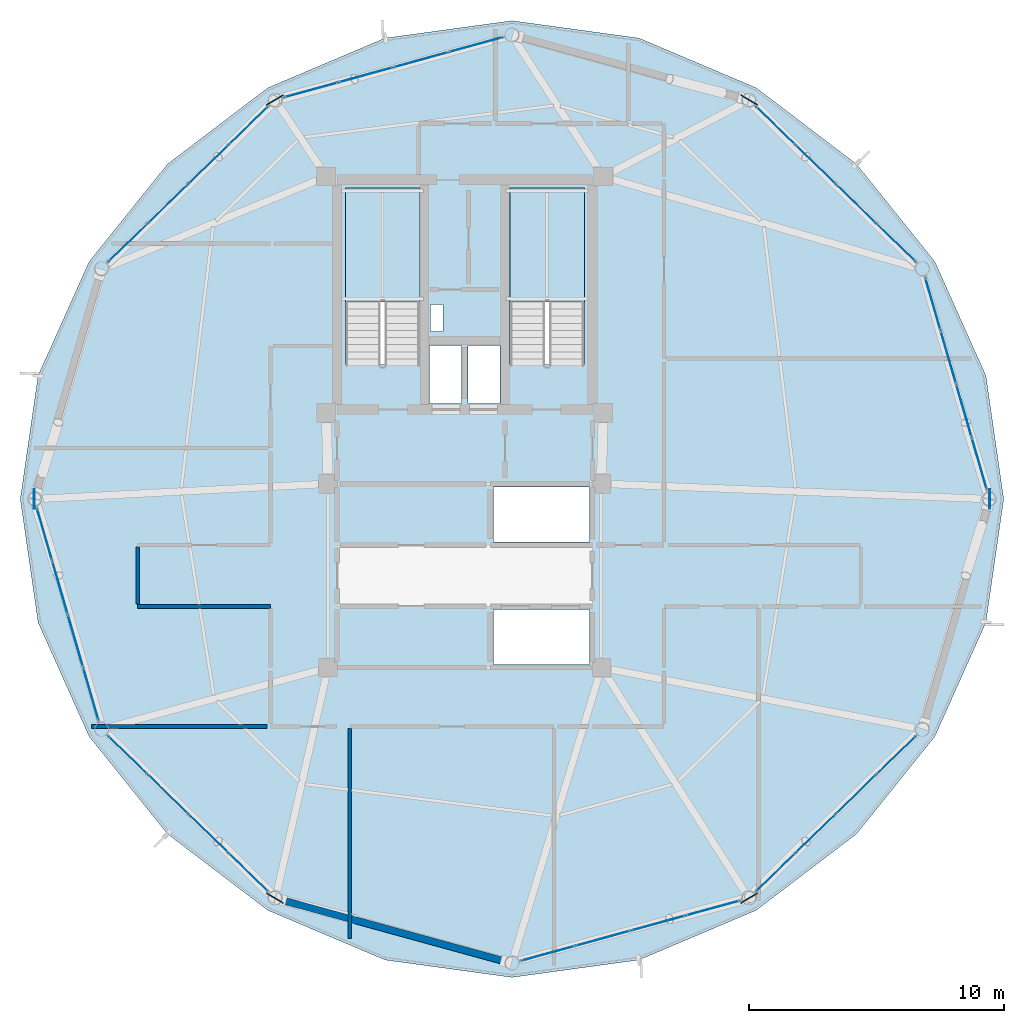
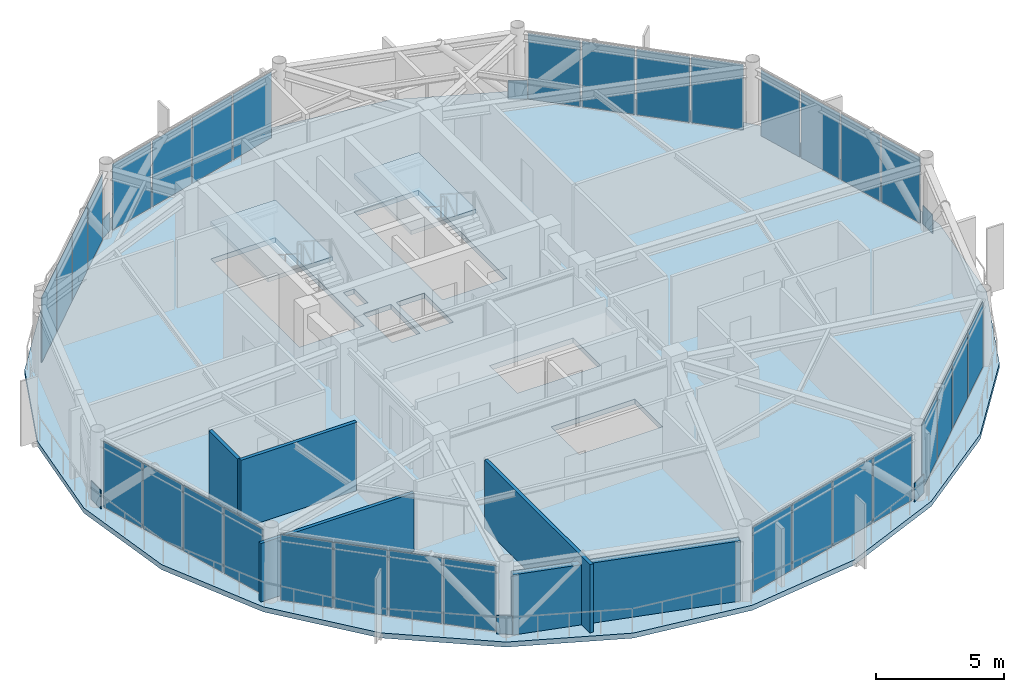
# One storey, part 22 of 28: 38 plates, 5 walls, 3 slabs, 10 elements without a shape of their own.
"""IFC4 building model written with IfcOpenShell, lengths in metres."""

from ifc_helpers import new_model, si_unit, direction, frame, frame_2d, origin, origin_2d, place, context, subcontext, project, spatial, polyline, rectangle, outline, extrude, source, transform, mapped, material, layer, layer_set, type_object, type_shapes, element, aggregate, save


model = new_model("IFC4")

# Units and contexts
model_context = context("Model", 3, precision=1e-05, world=origin(), true_north=direction((0.0, 1.0)))
body_context = subcontext(model_context, "Body", "Model", "MODEL_VIEW")
ifc_project = project(units=[si_unit("LENGTHUNIT", "METRE"), si_unit("AREAUNIT", "SQUARE_METRE"), si_unit("VOLUMEUNIT", "CUBIC_METRE"), si_unit("PLANEANGLEUNIT", "RADIAN"), si_unit("MASSUNIT", "GRAM", prefix="KILO")], contexts=[model_context])

# Site, building, storey
site_placement = place(None, origin())
site = spatial("IfcSite", under=ifc_project, at=site_placement, CompositionType="ELEMENT")
building_placement = place(site_placement, origin())
building = spatial("IfcBuilding", under=site, at=building_placement, Name="Varnakorn Sky Granary", CompositionType="ELEMENT")
storey_placement = place(building_placement, frame((0.0, 0.0, 236.39990234375)))
storey = spatial("IfcBuildingStorey", under=building, at=storey_placement, Name="L60", CompositionType="ELEMENT", Elevation=236.39990234375)

# Plates
ifc_material_1 = material(Name="Steel S460M", Category="steel")
ifc_layer_1 = layer(ifc_material_1, 0.035888671875, Name="Steel S460M")
ifc_layer_set_1 = layer_set([ifc_layer_1], Name="Steel S460M")
plate_type_1 = type_object("IfcPlateType", Name="PL-NODE-KN4", PredefinedType="SHEET", material=ifc_layer_set_1)
for number, where, z_axis, x_axis, name in (
    (1, (23.548095703125, 0.0, 0.000244140625), (0.0, 0.0, 1.0), (0.0, 1.0, 0.0), "Diagrid Node Gusset Assembly KN4 L60-1"),
    (2, (14.131591796875, 15.622314453125, 0.000244140625), (0.0, 0.0, 1.0), (-0.859714140362, 0.510775485768, 0.0), "Diagrid Node Gusset Assembly KN4 L60-3"),
    (3, (-4.431396484375, 15.622314453125, 0.000244140625), (0.0, 0.0, 1.0), (-0.859714140362, -0.510775485768, 0.0), "Diagrid Node Gusset Assembly KN4 L60-5"),
    (4, (-13.847900390625, 0.0, 0.000244140625), (0.0, 0.0, 1.0), (0.0, -1.0, 0.0), "Diagrid Node Gusset Assembly KN4 L60-7"),
    (5, (-4.431396484375, -15.622314453125, 0.000244140625), (0.0, 0.0, 1.0), (0.859714140362, -0.510775485768, 0.0), "Diagrid Node Gusset Assembly KN4 L60-9"),
    (6, (14.131591796875, -15.622314453125, 0.000244140625), (0.0, 0.0, 1.0), (0.859714140362, 0.510775485768, 0.0), "Diagrid Node Gusset Assembly KN4 L60-11"),
):
    element("IfcPlate", number, at=place(storey_placement, frame(where, z_axis=z_axis, x_axis=x_axis)), inside=storey, type_object=plate_type_1, Name=name, PredefinedType="SHEET", context=body_context, shape_type="SweptSolid", body=[
        extrude(rectangle(XDim=0.760009765625, YDim=0.035888671875, at=origin_2d()), origin(), (0.0, 0.0, 1.0), 0.8798828125),
    ])

# Stair, slab
ifc_material_2 = material(Name="Concrete C40/50", Category="concrete")
stair_type = type_object("IfcStairType", Name="ST-MAIN-ASSEMBLY", PredefinedType="HALF_TURN_STAIR", material=ifc_material_2)
stair_1_placement = place(storey_placement, origin())
stair_1 = element("IfcStair", 7, at=stair_1_placement, inside=storey, type_object=stair_type, Name="L60 Protected Exit Stair ST-1", PredefinedType="HALF_TURN_STAIR")
ifc_layer_2 = layer(ifc_material_2, 0.199951171875, Name="Concrete C40/50")
ifc_layer_set_2 = layer_set([ifc_layer_2], Name="Concrete C40/50")
slab_type_1 = type_object("IfcSlabType", Name="ST-MAIN-LAND", PredefinedType="LANDING", material=ifc_layer_set_2)
slab_1_placement = place(storey_placement, frame((0.0, 0.0, 1.60009765625)))
slab_1 = element("IfcSlab", 8, at=slab_1_placement, type_object=slab_type_1, Name="ST-1 landing 1", PredefinedType="LANDING", context=body_context, shape_type="SweptSolid", body=[
    extrude(outline(polyline([(1.239990234375, 7.719970703125), (1.239990234375, 12.179931640625), (-1.669921875, 12.179931640625), (-1.669921875, 7.719970703125), (1.239990234375, 7.719970703125)])), origin(), (0.0, 0.0, 1.0), 0.199951171875),
])
aggregate(stair_1, [slab_1])

stair_2_placement = place(storey_placement, origin())
stair_2 = element("IfcStair", 9, at=stair_2_placement, inside=storey, type_object=stair_type, Name="L60 Protected Exit Stair ST-2", PredefinedType="HALF_TURN_STAIR")
slab_2_placement = place(storey_placement, frame((0.0, 0.0, 1.60009765625)))
slab_2 = element("IfcSlab", 10, at=slab_2_placement, type_object=slab_type_1, Name="ST-2 landing 1", PredefinedType="LANDING", context=body_context, shape_type="SweptSolid", body=[
    extrude(outline(polyline([(7.679931640625, 7.719970703125), (7.679931640625, 12.179931640625), (4.77001953125, 12.179931640625), (4.77001953125, 7.719970703125), (7.679931640625, 7.719970703125)])), origin(), (0.0, 0.0, 1.0), 0.199951171875),
])
aggregate(stair_2, [slab_2])

# Slab
ifc_material_3 = material(Name="Concrete C50/60", Category="concrete")
ifc_layer_3 = layer(ifc_material_3, 0.239990234375, Name="Concrete C50/60")
ifc_layer_set_3 = layer_set([ifc_layer_3], Name="Concrete C50/60")
slab_type_2 = type_object("IfcSlabType", Name="ST-SL-TWR-240", PredefinedType="FLOOR", material=ifc_layer_set_3)
slab_3_placement = place(storey_placement, frame((0.0, 0.0, -0.239990234375)))
element("IfcSlab", 11, at=slab_3_placement, inside=storey, type_object=slab_type_2, Name="Level L60 Structural Floor Slab", PredefinedType="FLOOR", context=body_context, shape_type="SweptSolid", body=[
    extrude(outline(polyline([(24.097900390625, 0.0), (23.398681640625, 4.83447265625), (21.40234375, 9.29443359375), (18.3330078125, 13.112548828125), (14.406494140625, 16.098388671875), (9.820068359375, 18.04248046875), (4.85009765625, 18.72412109375), (-0.1201171875, 18.04248046875), (-4.70654296875, 16.098388671875), (-8.633056640625, 13.112548828125), (-11.702392578125, 9.29443359375), (-13.69873046875, 4.83447265625), (-14.39794921875, 0.0), (-13.69873046875, -4.83447265625), (-11.702392578125, -9.29443359375), (-8.633056640625, -13.112548828125), (-4.70654296875, -16.098388671875), (-0.1201171875, -18.04248046875), (4.85009765625, -18.72412109375), (9.820068359375, -18.04248046875), (14.406494140625, -16.098388671875), (18.3330078125, -13.112548828125), (21.40234375, -9.29443359375), (23.398681640625, -4.83447265625), (24.097900390625, 0.0)]), holes=[polyline([(1.239990234375, 5.27490234375), (1.239990234375, 12.179931640625), (-1.669921875, 12.179931640625), (-1.669921875, 5.27490234375), (1.239990234375, 5.27490234375)]), polyline([(7.679931640625, 5.27490234375), (7.679931640625, 12.179931640625), (4.77001953125, 12.179931640625), (4.77001953125, 5.27490234375), (7.679931640625, 5.27490234375)]), polyline([(1.659912109375, 6.550048828125), (2.14990234375, 6.550048828125), (2.14990234375, 7.6201171875), (1.659912109375, 7.6201171875), (1.659912109375, 6.550048828125)]), polyline([(1.6201171875, 3.739990234375), (2.8798828125, 3.739990234375), (2.8798828125, 6.010009765625), (1.6201171875, 6.010009765625), (1.6201171875, 3.739990234375)]), polyline([(3.1201171875, 3.739990234375), (4.3798828125, 3.739990234375), (4.3798828125, 6.010009765625), (3.1201171875, 6.010009765625), (3.1201171875, 3.739990234375)]), polyline([(4.1201171875, -1.679931640625), (7.8798828125, -1.679931640625), (7.8798828125, 0.47998046875), (4.1201171875, 0.47998046875), (4.1201171875, -1.679931640625)]), polyline([(4.1201171875, -6.47998046875), (7.8798828125, -6.47998046875), (7.8798828125, -4.320068359375), (4.1201171875, -4.320068359375), (4.1201171875, -6.47998046875)])]), origin(), (0.0, 0.0, 1.0), 0.239990234375),
])

# Curtain wall, plates
ifc_material_4 = material(Name="Anodised Bronze Aluminium Alloy 6063-T6", Category="aluminium")
ifc_layer_4 = layer(ifc_material_4, 0.159912109375, Name="Anodised Bronze Aluminium Alloy 6063-T6")
ifc_layer_set_4 = layer_set([ifc_layer_4], Name="Anodised Bronze Aluminium Alloy 6063-T6")
curtain_wall_type = type_object("IfcCurtainWallType", Name="CW-OFF-1", PredefinedType="USERDEFINED", material=ifc_layer_set_4)
curtain_wall_1_placement = place(storey_placement, origin())
curtain_wall_1 = element("IfcCurtainWall", 12, at=curtain_wall_1_placement, inside=storey, type_object=curtain_wall_type, Name="Unitised Curtain Wall CW6 CW-L60-B01", ObjectType="CURTAIN WALL", PredefinedType="USERDEFINED")
ifc_material_5 = material(Name="Low-E Tinted Laminated Glass", Category="glass")
ifc_layer_5 = layer(ifc_material_5, 0.02392578125, Name="Low-E Tinted Laminated Glass")
ifc_layer_set_5 = layer_set([ifc_layer_5], Name="Low-E Tinted Laminated Glass")
plate_type_2 = type_object("IfcPlateType", Name="CW-OFF-1-PNL", PredefinedType="CURTAIN_PANEL")
shared_shape_1 = source(origin(), body_context, "Body", "SweptSolid", [
    extrude(rectangle(XDim=2.0810546875, YDim=0.02392578125, at=origin_2d()), origin(), (0.0, 0.0, 1.0), 3.1201171875),
])
plate_1_placement = place(storey_placement, frame((21.329345703125, 7.632080078125, 0.06494140625), z_axis=(0.0, 0.0, 1.0), x_axis=(0.279141009475, -0.960250122015, 0.0)))
plate_1 = element("IfcPlate", 13, at=plate_1_placement, type_object=plate_type_2, material=ifc_layer_set_5, Name="CW6 vision glazing unit 1.1", PredefinedType="CURTAIN_PANEL", context=body_context, shape_type="MappedRepresentation", body=[
    mapped(shared_shape_1, transform((0.0, 0.0, 0.0), x_axis=(1.0, 0.0, 0.0), y_axis=(0.0, 1.0, 0.0), z_axis=(0.0, 0.0, 1.0), scale=1.0)),
])
ifc_material_6 = material(Name="Opaque Insulated Aluminium Shadow-Box Unit", Category="aluminium")
ifc_layer_6 = layer(ifc_material_6, 0.02392578125, Name="Opaque Insulated Aluminium Shadow-Box Unit")
ifc_layer_set_6 = layer_set([ifc_layer_6], Name="Opaque Insulated Aluminium Shadow-Box Unit")
plate_2_placement = place(storey_placement, frame((23.14453125, 1.387451171875, 0.06494140625), z_axis=(0.0, 0.0, 1.0), x_axis=(0.279141009475, -0.960250122015, 0.0)))
plate_2 = element("IfcPlate", 14, at=plate_2_placement, type_object=plate_type_2, material=ifc_layer_set_6, Name="CW6 opaque insulated shadow-box unit 4.1", PredefinedType="CURTAIN_PANEL", context=body_context, shape_type="MappedRepresentation", body=[
    mapped(shared_shape_1, transform((0.0, 0.0, 0.0), x_axis=(1.0, 0.0, 0.0), y_axis=(0.0, 1.0, 0.0), z_axis=(0.0, 0.0, 1.0), scale=1.0)),
])

curtain_wall_2_placement = place(storey_placement, origin())
curtain_wall_2 = element("IfcCurtainWall", 15, at=curtain_wall_2_placement, inside=storey, type_object=curtain_wall_type, Name="Unitised Curtain Wall CW6 CW-L60-B07", ObjectType="CURTAIN WALL", PredefinedType="USERDEFINED")
plate_3_placement = place(storey_placement, frame((-11.62939453125, -7.632080078125, 0.06494140625), z_axis=(0.0, 0.0, 1.0), x_axis=(-0.279141009475, 0.960250122015, 0.0)))
plate_3 = element("IfcPlate", 16, at=plate_3_placement, type_object=plate_type_2, material=ifc_layer_set_5, Name="CW6 vision glazing unit 1.1", PredefinedType="CURTAIN_PANEL", context=body_context, shape_type="MappedRepresentation", body=[
    mapped(shared_shape_1, transform((0.0, 0.0, 0.0), x_axis=(1.0, 0.0, 0.0), y_axis=(0.0, 1.0, 0.0), z_axis=(0.0, 0.0, 1.0), scale=1.0)),
])
plate_4_placement = place(storey_placement, frame((-13.444580078125, -1.387451171875, 0.06494140625), z_axis=(0.0, 0.0, 1.0), x_axis=(-0.279141009475, 0.960250122015, 0.0)))
plate_4 = element("IfcPlate", 17, at=plate_4_placement, type_object=plate_type_2, material=ifc_layer_set_6, Name="CW6 opaque insulated shadow-box unit 4.1", PredefinedType="CURTAIN_PANEL", context=body_context, shape_type="MappedRepresentation", body=[
    mapped(shared_shape_1, transform((0.0, 0.0, 0.0), x_axis=(1.0, 0.0, 0.0), y_axis=(0.0, 1.0, 0.0), z_axis=(0.0, 0.0, 1.0), scale=1.0)),
])

# Plate
shared_shape_2 = source(origin(), body_context, "Body", "SweptSolid", [
    extrude(rectangle(XDim=2.113525390625, YDim=0.02392578125, at=origin_2d()), origin(), (0.0, 0.0, 1.0), 3.1201171875),
])
plate_5_placement = place(storey_placement, frame((21.932861328125, 5.5556640625, 0.06494140625), z_axis=(0.0, 0.0, 1.0), x_axis=(0.279141009475, -0.960250122015, 0.0)))
plate_5 = element("IfcPlate", 18, at=plate_5_placement, type_object=plate_type_2, material=ifc_layer_set_5, Name="CW6 vision glazing unit 2.1", PredefinedType="CURTAIN_PANEL", context=body_context, shape_type="MappedRepresentation", body=[
    mapped(shared_shape_2, transform((0.0, 0.0, 0.0), x_axis=(1.0, 0.0, 0.0), y_axis=(0.0, 1.0, 0.0), z_axis=(0.0, 0.0, 1.0), scale=1.0)),
])

plate_6_placement = place(storey_placement, frame((22.541015625, 3.4638671875, 0.06494140625), z_axis=(0.0, 0.0, 1.0), x_axis=(0.279141009475, -0.960250122015, 0.0)))
plate_6 = element("IfcPlate", 19, at=plate_6_placement, type_object=plate_type_2, material=ifc_layer_set_6, Name="CW6 opaque insulated shadow-box unit 3.1", PredefinedType="CURTAIN_PANEL", context=body_context, shape_type="MappedRepresentation", body=[
    mapped(shared_shape_2, transform((0.0, 0.0, 0.0), x_axis=(1.0, 0.0, 0.0), y_axis=(0.0, 1.0, 0.0), z_axis=(0.0, 0.0, 1.0), scale=1.0)),
])

aggregate(curtain_wall_1, [plate_1, plate_5, plate_6, plate_2])

plate_7_placement = place(storey_placement, frame((-12.23291015625, -5.5556640625, 0.06494140625), z_axis=(0.0, 0.0, 1.0), x_axis=(-0.279141009475, 0.960250122015, 0.0)))
plate_7 = element("IfcPlate", 20, at=plate_7_placement, type_object=plate_type_2, material=ifc_layer_set_5, Name="CW6 vision glazing unit 2.1", PredefinedType="CURTAIN_PANEL", context=body_context, shape_type="MappedRepresentation", body=[
    mapped(shared_shape_2, transform((0.0, 0.0, 0.0), x_axis=(1.0, 0.0, 0.0), y_axis=(0.0, 1.0, 0.0), z_axis=(0.0, 0.0, 1.0), scale=1.0)),
])

plate_8_placement = place(storey_placement, frame((-12.841064453125, -3.4638671875, 0.06494140625), z_axis=(0.0, 0.0, 1.0), x_axis=(-0.279141009475, 0.960250122015, 0.0)))
plate_8 = element("IfcPlate", 21, at=plate_8_placement, type_object=plate_type_2, material=ifc_layer_set_6, Name="CW6 opaque insulated shadow-box unit 3.1", PredefinedType="CURTAIN_PANEL", context=body_context, shape_type="MappedRepresentation", body=[
    mapped(shared_shape_2, transform((0.0, 0.0, 0.0), x_axis=(1.0, 0.0, 0.0), y_axis=(0.0, 1.0, 0.0), z_axis=(0.0, 0.0, 1.0), scale=1.0)),
])

aggregate(curtain_wall_2, [plate_3, plate_7, plate_8, plate_4])

# Curtain wall, plates
curtain_wall_3_placement = place(storey_placement, origin())
curtain_wall_3 = element("IfcCurtainWall", 22, at=curtain_wall_3_placement, inside=storey, type_object=curtain_wall_type, Name="Unitised Curtain Wall CW6 CW-L60-B02", ObjectType="CURTAIN WALL", PredefinedType="USERDEFINED")
shared_shape_3 = source(origin(), body_context, "Body", "SweptSolid", [
    extrude(rectangle(XDim=2.101318359375, YDim=0.02392578125, at=origin_2d()), origin(), (0.0, 0.0, 1.0), 3.1201171875),
])
plate_9_placement = place(storey_placement, frame((15.175048828125, 14.608154296875, 0.06494140625), z_axis=(0.0, 0.0, 1.0), x_axis=(0.717153541509, -0.69691520137, 0.0)))
plate_9 = element("IfcPlate", 23, at=plate_9_placement, type_object=plate_type_2, material=ifc_layer_set_6, Name="CW6 opaque insulated shadow-box unit 1.1", PredefinedType="CURTAIN_PANEL", context=body_context, shape_type="MappedRepresentation", body=[
    mapped(shared_shape_3, transform((0.0, 0.0, 0.0), x_axis=(1.0, 0.0, 0.0), y_axis=(0.0, 1.0, 0.0), z_axis=(0.0, 0.0, 1.0), scale=1.0)),
])
plate_10_placement = place(storey_placement, frame((19.88232421875, 10.03369140625, 0.06494140625), z_axis=(0.0, 0.0, 1.0), x_axis=(0.717153541509, -0.69691520137, 0.0)))
plate_10 = element("IfcPlate", 24, at=plate_10_placement, type_object=plate_type_2, material=ifc_layer_set_5, Name="CW6 vision glazing unit 4.1", PredefinedType="CURTAIN_PANEL", context=body_context, shape_type="MappedRepresentation", body=[
    mapped(shared_shape_3, transform((0.0, 0.0, 0.0), x_axis=(1.0, 0.0, 0.0), y_axis=(0.0, 1.0, 0.0), z_axis=(0.0, 0.0, 1.0), scale=1.0)),
])

curtain_wall_4_placement = place(storey_placement, origin())
curtain_wall_4 = element("IfcCurtainWall", 25, at=curtain_wall_4_placement, inside=storey, type_object=curtain_wall_type, Name="Unitised Curtain Wall CW6 CW-L60-B05", ObjectType="CURTAIN WALL", PredefinedType="USERDEFINED")
plate_11_placement = place(storey_placement, frame((-10.182373046875, 10.03369140625, 0.06494140625), z_axis=(0.0, 0.0, 1.0), x_axis=(0.717153541509, 0.69691520137, 0.0)))
plate_11 = element("IfcPlate", 26, at=plate_11_placement, type_object=plate_type_2, material=ifc_layer_set_5, Name="CW6 vision glazing unit 1.1", PredefinedType="CURTAIN_PANEL", context=body_context, shape_type="MappedRepresentation", body=[
    mapped(shared_shape_3, transform((0.0, 0.0, 0.0), x_axis=(1.0, 0.0, 0.0), y_axis=(0.0, 1.0, 0.0), z_axis=(0.0, 0.0, 1.0), scale=1.0)),
])
plate_12_placement = place(storey_placement, frame((-5.47509765625, 14.608154296875, 0.06494140625), z_axis=(0.0, 0.0, 1.0), x_axis=(0.717153541509, 0.69691520137, 0.0)))
plate_12 = element("IfcPlate", 27, at=plate_12_placement, type_object=plate_type_2, material=ifc_layer_set_6, Name="CW6 opaque insulated shadow-box unit 4.1", PredefinedType="CURTAIN_PANEL", context=body_context, shape_type="MappedRepresentation", body=[
    mapped(shared_shape_3, transform((0.0, 0.0, 0.0), x_axis=(1.0, 0.0, 0.0), y_axis=(0.0, 1.0, 0.0), z_axis=(0.0, 0.0, 1.0), scale=1.0)),
])

curtain_wall_5_placement = place(storey_placement, origin())
curtain_wall_5 = element("IfcCurtainWall", 28, at=curtain_wall_5_placement, inside=storey, type_object=curtain_wall_type, Name="Unitised Curtain Wall CW6 CW-L60-B08", ObjectType="CURTAIN WALL", PredefinedType="USERDEFINED")
plate_13_placement = place(storey_placement, frame((-5.47509765625, -14.608154296875, 0.06494140625), z_axis=(0.0, 0.0, 1.0), x_axis=(-0.717153541509, 0.69691520137, 0.0)))
plate_13 = element("IfcPlate", 29, at=plate_13_placement, type_object=plate_type_2, material=ifc_layer_set_6, Name="CW6 opaque insulated shadow-box unit 1.1", PredefinedType="CURTAIN_PANEL", context=body_context, shape_type="MappedRepresentation", body=[
    mapped(shared_shape_3, transform((0.0, 0.0, 0.0), x_axis=(1.0, 0.0, 0.0), y_axis=(0.0, 1.0, 0.0), z_axis=(0.0, 0.0, 1.0), scale=1.0)),
])
plate_14_placement = place(storey_placement, frame((-10.182373046875, -10.03369140625, 0.06494140625), z_axis=(0.0, 0.0, 1.0), x_axis=(-0.717153541509, 0.69691520137, 0.0)))
plate_14 = element("IfcPlate", 30, at=plate_14_placement, type_object=plate_type_2, material=ifc_layer_set_5, Name="CW6 vision glazing unit 4.1", PredefinedType="CURTAIN_PANEL", context=body_context, shape_type="MappedRepresentation", body=[
    mapped(shared_shape_3, transform((0.0, 0.0, 0.0), x_axis=(1.0, 0.0, 0.0), y_axis=(0.0, 1.0, 0.0), z_axis=(0.0, 0.0, 1.0), scale=1.0)),
])

curtain_wall_6_placement = place(storey_placement, origin())
curtain_wall_6 = element("IfcCurtainWall", 31, at=curtain_wall_6_placement, inside=storey, type_object=curtain_wall_type, Name="Unitised Curtain Wall CW6 CW-L60-B11", ObjectType="CURTAIN WALL", PredefinedType="USERDEFINED")
plate_15_placement = place(storey_placement, frame((19.88232421875, -10.03369140625, 0.06494140625), z_axis=(0.0, 0.0, 1.0), x_axis=(-0.717153541509, -0.69691520137, 0.0)))
plate_15 = element("IfcPlate", 32, at=plate_15_placement, type_object=plate_type_2, material=ifc_layer_set_5, Name="CW6 vision glazing unit 1.1", PredefinedType="CURTAIN_PANEL", context=body_context, shape_type="MappedRepresentation", body=[
    mapped(shared_shape_3, transform((0.0, 0.0, 0.0), x_axis=(1.0, 0.0, 0.0), y_axis=(0.0, 1.0, 0.0), z_axis=(0.0, 0.0, 1.0), scale=1.0)),
])
plate_16_placement = place(storey_placement, frame((15.175048828125, -14.608154296875, 0.06494140625), z_axis=(0.0, 0.0, 1.0), x_axis=(-0.717153541509, -0.69691520137, 0.0)))
plate_16 = element("IfcPlate", 33, at=plate_16_placement, type_object=plate_type_2, material=ifc_layer_set_6, Name="CW6 opaque insulated shadow-box unit 4.1", PredefinedType="CURTAIN_PANEL", context=body_context, shape_type="MappedRepresentation", body=[
    mapped(shared_shape_3, transform((0.0, 0.0, 0.0), x_axis=(1.0, 0.0, 0.0), y_axis=(0.0, 1.0, 0.0), z_axis=(0.0, 0.0, 1.0), scale=1.0)),
])

# Plate
shared_shape_4 = source(origin(), body_context, "Body", "SweptSolid", [
    extrude(rectangle(XDim=2.1337890625, YDim=0.02392578125, at=origin_2d()), origin(), (0.0, 0.0, 1.0), 3.1201171875),
])
plate_17_placement = place(storey_placement, frame((16.740234375, 13.087158203125, 0.06494140625), z_axis=(0.0, 0.0, 1.0), x_axis=(0.717153541509, -0.69691520137, 0.0)))
plate_17 = element("IfcPlate", 34, at=plate_17_placement, type_object=plate_type_2, material=ifc_layer_set_6, Name="CW6 opaque insulated shadow-box unit 2.1", PredefinedType="CURTAIN_PANEL", context=body_context, shape_type="MappedRepresentation", body=[
    mapped(shared_shape_4, transform((0.0, 0.0, 0.0), x_axis=(1.0, 0.0, 0.0), y_axis=(0.0, 1.0, 0.0), z_axis=(0.0, 0.0, 1.0), scale=1.0)),
])

plate_18_placement = place(storey_placement, frame((18.317138671875, 11.5546875, 0.06494140625), z_axis=(0.0, 0.0, 1.0), x_axis=(0.717153541509, -0.69691520137, 0.0)))
plate_18 = element("IfcPlate", 35, at=plate_18_placement, type_object=plate_type_2, material=ifc_layer_set_5, Name="CW6 vision glazing unit 3.1", PredefinedType="CURTAIN_PANEL", context=body_context, shape_type="MappedRepresentation", body=[
    mapped(shared_shape_4, transform((0.0, 0.0, 0.0), x_axis=(1.0, 0.0, 0.0), y_axis=(0.0, 1.0, 0.0), z_axis=(0.0, 0.0, 1.0), scale=1.0)),
])

aggregate(curtain_wall_3, [plate_9, plate_17, plate_18, plate_10])

plate_19_placement = place(storey_placement, frame((-8.6171875, 11.5546875, 0.06494140625), z_axis=(0.0, 0.0, 1.0), x_axis=(0.717153541509, 0.69691520137, 0.0)))
plate_19 = element("IfcPlate", 36, at=plate_19_placement, type_object=plate_type_2, material=ifc_layer_set_5, Name="CW6 vision glazing unit 2.1", PredefinedType="CURTAIN_PANEL", context=body_context, shape_type="MappedRepresentation", body=[
    mapped(shared_shape_4, transform((0.0, 0.0, 0.0), x_axis=(1.0, 0.0, 0.0), y_axis=(0.0, 1.0, 0.0), z_axis=(0.0, 0.0, 1.0), scale=1.0)),
])

plate_20_placement = place(storey_placement, frame((-7.040283203125, 13.087158203125, 0.06494140625), z_axis=(0.0, 0.0, 1.0), x_axis=(0.717153541509, 0.69691520137, 0.0)))
plate_20 = element("IfcPlate", 37, at=plate_20_placement, type_object=plate_type_2, material=ifc_layer_set_6, Name="CW6 opaque insulated shadow-box unit 3.1", PredefinedType="CURTAIN_PANEL", context=body_context, shape_type="MappedRepresentation", body=[
    mapped(shared_shape_4, transform((0.0, 0.0, 0.0), x_axis=(1.0, 0.0, 0.0), y_axis=(0.0, 1.0, 0.0), z_axis=(0.0, 0.0, 1.0), scale=1.0)),
])

aggregate(curtain_wall_4, [plate_11, plate_19, plate_20, plate_12])

plate_21_placement = place(storey_placement, frame((-7.040283203125, -13.087158203125, 0.06494140625), z_axis=(0.0, 0.0, 1.0), x_axis=(-0.717153541509, 0.69691520137, 0.0)))
plate_21 = element("IfcPlate", 38, at=plate_21_placement, type_object=plate_type_2, material=ifc_layer_set_6, Name="CW6 opaque insulated shadow-box unit 2.1", PredefinedType="CURTAIN_PANEL", context=body_context, shape_type="MappedRepresentation", body=[
    mapped(shared_shape_4, transform((0.0, 0.0, 0.0), x_axis=(1.0, 0.0, 0.0), y_axis=(0.0, 1.0, 0.0), z_axis=(0.0, 0.0, 1.0), scale=1.0)),
])

plate_22_placement = place(storey_placement, frame((-8.6171875, -11.5546875, 0.06494140625), z_axis=(0.0, 0.0, 1.0), x_axis=(-0.717153541509, 0.69691520137, 0.0)))
plate_22 = element("IfcPlate", 39, at=plate_22_placement, type_object=plate_type_2, material=ifc_layer_set_5, Name="CW6 vision glazing unit 3.1", PredefinedType="CURTAIN_PANEL", context=body_context, shape_type="MappedRepresentation", body=[
    mapped(shared_shape_4, transform((0.0, 0.0, 0.0), x_axis=(1.0, 0.0, 0.0), y_axis=(0.0, 1.0, 0.0), z_axis=(0.0, 0.0, 1.0), scale=1.0)),
])

aggregate(curtain_wall_5, [plate_13, plate_21, plate_22, plate_14])

plate_23_placement = place(storey_placement, frame((18.317138671875, -11.5546875, 0.06494140625), z_axis=(0.0, 0.0, 1.0), x_axis=(-0.717153541509, -0.69691520137, 0.0)))
plate_23 = element("IfcPlate", 40, at=plate_23_placement, type_object=plate_type_2, material=ifc_layer_set_5, Name="CW6 vision glazing unit 2.1", PredefinedType="CURTAIN_PANEL", context=body_context, shape_type="MappedRepresentation", body=[
    mapped(shared_shape_4, transform((0.0, 0.0, 0.0), x_axis=(1.0, 0.0, 0.0), y_axis=(0.0, 1.0, 0.0), z_axis=(0.0, 0.0, 1.0), scale=1.0)),
])

plate_24_placement = place(storey_placement, frame((16.740234375, -13.087158203125, 0.06494140625), z_axis=(0.0, 0.0, 1.0), x_axis=(-0.717153541509, -0.69691520137, 0.0)))
plate_24 = element("IfcPlate", 41, at=plate_24_placement, type_object=plate_type_2, material=ifc_layer_set_6, Name="CW6 opaque insulated shadow-box unit 3.1", PredefinedType="CURTAIN_PANEL", context=body_context, shape_type="MappedRepresentation", body=[
    mapped(shared_shape_4, transform((0.0, 0.0, 0.0), x_axis=(1.0, 0.0, 0.0), y_axis=(0.0, 1.0, 0.0), z_axis=(0.0, 0.0, 1.0), scale=1.0)),
])

aggregate(curtain_wall_6, [plate_15, plate_23, plate_24, plate_16])

# Curtain wall, plates
curtain_wall_7_placement = place(storey_placement, origin())
curtain_wall_7 = element("IfcCurtainWall", 42, at=curtain_wall_7_placement, inside=storey, type_object=curtain_wall_type, Name="Unitised Curtain Wall CW6 CW-L60-B04", ObjectType="CURTAIN WALL", PredefinedType="USERDEFINED")
shared_shape_5 = source(origin(), body_context, "Body", "SweptSolid", [
    extrude(rectangle(XDim=2.13916015625, YDim=0.02392578125, at=origin_2d()), origin(), (0.0, 0.0, 1.0), 3.1201171875),
])
plate_25_placement = place(storey_placement, frame((-3.010009765625, 16.012939453125, 0.06494140625), z_axis=(0.0, 0.0, 1.0), x_axis=(0.964220893715, 0.265100109625, 0.0)))
plate_25 = element("IfcPlate", 43, at=plate_25_placement, type_object=plate_type_2, material=ifc_layer_set_6, Name="CW6 opaque insulated shadow-box unit 1.1", PredefinedType="CURTAIN_PANEL", context=body_context, shape_type="MappedRepresentation", body=[
    mapped(shared_shape_5, transform((0.0, 0.0, 0.0), x_axis=(1.0, 0.0, 0.0), y_axis=(0.0, 1.0, 0.0), z_axis=(0.0, 0.0, 1.0), scale=1.0)),
])
plate_26_placement = place(storey_placement, frame((3.4287109375, 17.783203125, 0.06494140625), z_axis=(0.0, 0.0, 1.0), x_axis=(0.964220893715, 0.265100109625, 0.0)))
plate_26 = element("IfcPlate", 44, at=plate_26_placement, type_object=plate_type_2, material=ifc_layer_set_5, Name="CW6 vision glazing unit 4.1", PredefinedType="CURTAIN_PANEL", context=body_context, shape_type="MappedRepresentation", body=[
    mapped(shared_shape_5, transform((0.0, 0.0, 0.0), x_axis=(1.0, 0.0, 0.0), y_axis=(0.0, 1.0, 0.0), z_axis=(0.0, 0.0, 1.0), scale=1.0)),
])

curtain_wall_8_placement = place(storey_placement, origin())
curtain_wall_8 = element("IfcCurtainWall", 45, at=curtain_wall_8_placement, inside=storey, type_object=curtain_wall_type, Name="Unitised Curtain Wall CW6 CW-L60-B10", ObjectType="CURTAIN WALL", PredefinedType="USERDEFINED")
plate_27_placement = place(storey_placement, frame((12.710205078125, -16.012939453125, 0.06494140625), z_axis=(0.0, 0.0, 1.0), x_axis=(-0.964220893715, -0.265100109625, 0.0)))
plate_27 = element("IfcPlate", 46, at=plate_27_placement, type_object=plate_type_2, material=ifc_layer_set_6, Name="CW6 opaque insulated shadow-box unit 1.1", PredefinedType="CURTAIN_PANEL", context=body_context, shape_type="MappedRepresentation", body=[
    mapped(shared_shape_5, transform((0.0, 0.0, 0.0), x_axis=(1.0, 0.0, 0.0), y_axis=(0.0, 1.0, 0.0), z_axis=(0.0, 0.0, 1.0), scale=1.0)),
])
plate_28_placement = place(storey_placement, frame((6.271484375, -17.783203125, 0.06494140625), z_axis=(0.0, 0.0, 1.0), x_axis=(-0.964220893715, -0.265100109625, 0.0)))
plate_28 = element("IfcPlate", 47, at=plate_28_placement, type_object=plate_type_2, material=ifc_layer_set_5, Name="CW6 vision glazing unit 4.1", PredefinedType="CURTAIN_PANEL", context=body_context, shape_type="MappedRepresentation", body=[
    mapped(shared_shape_5, transform((0.0, 0.0, 0.0), x_axis=(1.0, 0.0, 0.0), y_axis=(0.0, 1.0, 0.0), z_axis=(0.0, 0.0, 1.0), scale=1.0)),
])

# Plate
shared_shape_6 = source(origin(), body_context, "Body", "SweptSolid", [
    extrude(rectangle(XDim=2.171630859375, YDim=0.02392578125, at=origin_2d()), origin(), (0.0, 0.0, 1.0), 3.1201171875),
])
type_shapes(plate_type_2, [shared_shape_1, shared_shape_2, shared_shape_3, shared_shape_4, shared_shape_5, shared_shape_6])
plate_29_placement = place(storey_placement, frame((-0.869140625, 16.6015625, 0.06494140625), z_axis=(0.0, 0.0, 1.0), x_axis=(0.964220893715, 0.265100109625, 0.0)))
plate_29 = element("IfcPlate", 48, at=plate_29_placement, type_object=plate_type_2, material=ifc_layer_set_6, Name="CW6 opaque insulated shadow-box unit 2.1", PredefinedType="CURTAIN_PANEL", context=body_context, shape_type="MappedRepresentation", body=[
    mapped(shared_shape_6, transform((0.0, 0.0, 0.0), x_axis=(1.0, 0.0, 0.0), y_axis=(0.0, 1.0, 0.0), z_axis=(0.0, 0.0, 1.0), scale=1.0)),
])

plate_30_placement = place(storey_placement, frame((1.28759765625, 17.194580078125, 0.06494140625), z_axis=(0.0, 0.0, 1.0), x_axis=(0.964220893715, 0.265100109625, 0.0)))
plate_30 = element("IfcPlate", 49, at=plate_30_placement, type_object=plate_type_2, material=ifc_layer_set_5, Name="CW6 vision glazing unit 3.1", PredefinedType="CURTAIN_PANEL", context=body_context, shape_type="MappedRepresentation", body=[
    mapped(shared_shape_6, transform((0.0, 0.0, 0.0), x_axis=(1.0, 0.0, 0.0), y_axis=(0.0, 1.0, 0.0), z_axis=(0.0, 0.0, 1.0), scale=1.0)),
])

aggregate(curtain_wall_7, [plate_25, plate_29, plate_30, plate_26])

plate_31_placement = place(storey_placement, frame((10.569091796875, -16.6015625, 0.06494140625), z_axis=(0.0, 0.0, 1.0), x_axis=(-0.964220893715, -0.265100109625, 0.0)))
plate_31 = element("IfcPlate", 50, at=plate_31_placement, type_object=plate_type_2, material=ifc_layer_set_6, Name="CW6 opaque insulated shadow-box unit 2.1", PredefinedType="CURTAIN_PANEL", context=body_context, shape_type="MappedRepresentation", body=[
    mapped(shared_shape_6, transform((0.0, 0.0, 0.0), x_axis=(1.0, 0.0, 0.0), y_axis=(0.0, 1.0, 0.0), z_axis=(0.0, 0.0, 1.0), scale=1.0)),
])

plate_32_placement = place(storey_placement, frame((8.412353515625, -17.194580078125, 0.06494140625), z_axis=(0.0, 0.0, 1.0), x_axis=(-0.964220893715, -0.265100109625, 0.0)))
plate_32 = element("IfcPlate", 51, at=plate_32_placement, type_object=plate_type_2, material=ifc_layer_set_5, Name="CW6 vision glazing unit 3.1", PredefinedType="CURTAIN_PANEL", context=body_context, shape_type="MappedRepresentation", body=[
    mapped(shared_shape_6, transform((0.0, 0.0, 0.0), x_axis=(1.0, 0.0, 0.0), y_axis=(0.0, 1.0, 0.0), z_axis=(0.0, 0.0, 1.0), scale=1.0)),
])

aggregate(curtain_wall_8, [plate_27, plate_31, plate_32, plate_28])

# Walls
ifc_material_7 = material(Name="Precast concrete C40/50", Category="concrete")
ifc_layer_7 = layer(ifc_material_7, 0.280029296875, Name="Precast concrete C40/50")
ifc_layer_set_7 = layer_set([ifc_layer_7], Name="Precast concrete C40/50")
wall_type_1 = type_object("IfcWallType", Name="WT-EW-CRN-280", PredefinedType="SOLIDWALL", material=ifc_layer_set_7)
wall_1_placement = place(storey_placement, frame((4.623779296875, -18.11181640625, 0.0), z_axis=(0.0, 0.0, 1.0), x_axis=(-0.964219706375, 0.265104428174, 0.0)))
element("IfcWall", 52, at=wall_1_placement, inside=storey, type_object=wall_type_1, Name="Agritech Insulated Precast Facade Wall L60-P09", PredefinedType="SOLIDWALL", context=body_context, shape_type="SweptSolid", body=[
    extrude(rectangle(XDim=9.15673828125, YDim=0.280029296875, at=frame_2d((4.578369140625, 0.0))), origin(), (0.0, 0.0, 1.0), 2.860107421875),
])
ifc_material_8 = material(Name="Gypsum Plasterboard on Steel Stud", Category="steel")
ifc_layer_8 = layer(ifc_material_8, 0.14990234375, Name="Gypsum Plasterboard on Steel Stud")
ifc_layer_set_8 = layer_set([ifc_layer_8], Name="Gypsum Plasterboard on Steel Stud")
wall_type_2 = type_object("IfcWallType", Name="WT-PART-150", PredefinedType="PARTITIONING", material=ifc_layer_set_8)
wall_2_placement = place(storey_placement, frame((-1.5, -8.985107421875, 0.0), z_axis=(0.0, 0.0, 1.0), x_axis=(0.0, -1.0, 0.0)))
element("IfcWall", 53, at=wall_2_placement, inside=storey, type_object=wall_type_2, Name="Interior Partition Wall L60-035", PredefinedType="PARTITIONING", context=body_context, shape_type="SweptSolid", body=[
    extrude(rectangle(XDim=8.2138671875, YDim=0.14990234375, at=frame_2d((4.10693359375, 0.0))), origin(), (0.0, 0.0, 1.0), 3.25),
])
wall_3_placement = place(storey_placement, frame((-11.616943359375, -8.89990234375, 0.0), z_axis=(0.0, 0.0, 1.0), x_axis=(1.0, 0.0, 0.0)))
element("IfcWall", 54, at=wall_3_placement, inside=storey, type_object=wall_type_2, Name="Interior Partition Wall L60-036", PredefinedType="PARTITIONING", context=body_context, shape_type="SweptSolid", body=[
    extrude(rectangle(XDim=6.8818359375, YDim=0.14990234375, at=frame_2d((3.44091796875, 0.0))), origin(), (0.0, 0.0, 1.0), 2.781982421875),
])
wall_4_placement = place(storey_placement, frame((-9.800048828125, -4.199951171875, 0.0), z_axis=(0.0, 0.0, 1.0), x_axis=(1.0, 0.0, 0.0)))
element("IfcWall", 55, at=wall_4_placement, inside=storey, type_object=wall_type_2, Name="Interior Partition Wall L60-044", PredefinedType="PARTITIONING", context=body_context, shape_type="SweptSolid", body=[
    extrude(rectangle(XDim=5.199951171875, YDim=0.14990234375, at=frame_2d((2.60009765625, 0.0))), origin(), (0.0, 0.0, 1.0), 3.25),
])
wall_5_placement = place(storey_placement, frame((-9.800048828125, -1.885009765625, 0.0), z_axis=(0.0, 0.0, 1.0), x_axis=(0.0, -1.0, 0.0)))
element("IfcWall", 56, at=wall_5_placement, inside=storey, type_object=wall_type_2, Name="Interior Partition Wall L60-046", PredefinedType="PARTITIONING", context=body_context, shape_type="SweptSolid", body=[
    extrude(rectangle(XDim=2.22998046875, YDim=0.14990234375, at=frame_2d((1.114990234375, 0.0))), origin(), (0.0, 0.0, 1.0), 3.25),
])

save(model, "model.ifc")
